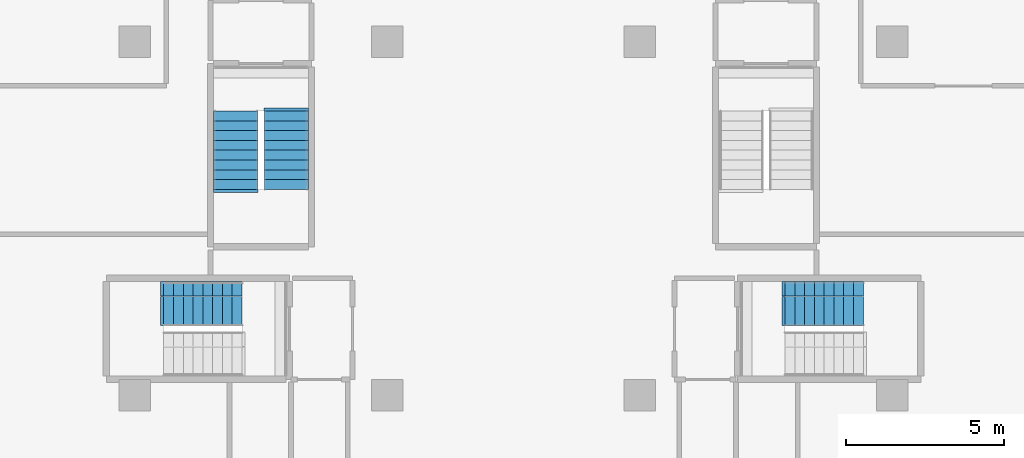
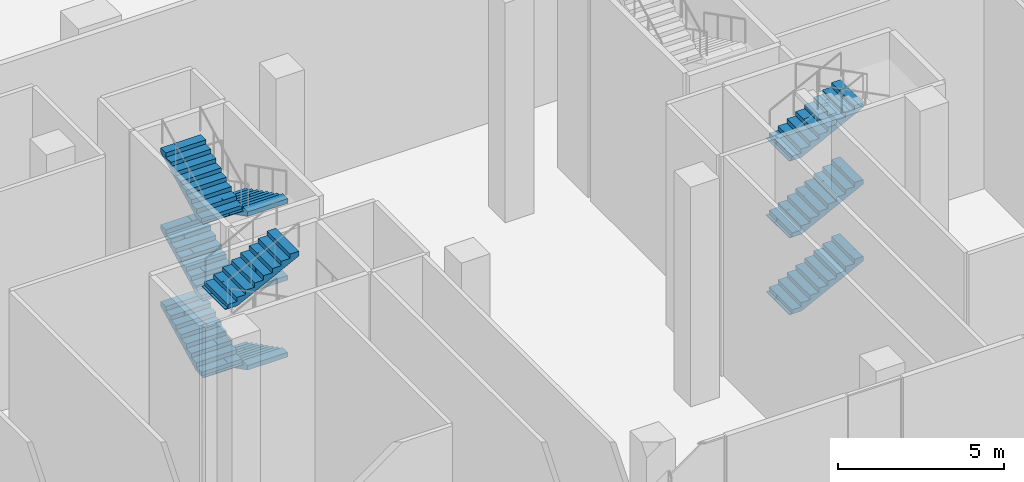
# One storey, part 30 of 41: 10 stair flights, 3 elements without a shape of their own.
"""IFC4 building model written with IfcOpenShell, lengths in metres."""

from ifc_helpers import new_model, si_unit, direction, frame, origin, place, context, subcontext, project, spatial, polyline, outline, extrude, material, type_object, element, aggregate, save


model = new_model("IFC4")

# Units and contexts
model_context = context("Model", 3, precision=1e-05, world=origin(), true_north=direction((0.0, 1.0)))
body_context = subcontext(model_context, "Body", "Model", "MODEL_VIEW")
ifc_project = project(units=[si_unit("LENGTHUNIT", "METRE"), si_unit("AREAUNIT", "SQUARE_METRE"), si_unit("VOLUMEUNIT", "CUBIC_METRE"), si_unit("PLANEANGLEUNIT", "RADIAN"), si_unit("MASSUNIT", "GRAM", prefix="KILO")], contexts=[model_context])

# Site, building, storey
site_placement = place(None, origin())
site = spatial("IfcSite", under=ifc_project, at=site_placement, CompositionType="ELEMENT")
building_placement = place(site_placement, origin())
building = spatial("IfcBuilding", under=site, at=building_placement, Name="Triada Interchange Tower", CompositionType="ELEMENT")
storey_placement = place(building_placement, origin())
storey = spatial("IfcBuildingStorey", under=building, at=storey_placement, Name="L00", CompositionType="ELEMENT", Elevation=0.0)

# Stair, stair flight
ifc_material = material(Name="Concrete C35/45", Category="concrete")
stair_type = type_object("IfcStairType", Name="HALF TURN STAIR 1400", PredefinedType="HALF_TURN_STAIR", material=ifc_material)
stair_1_placement = place(storey_placement, origin())
stair_1 = element("IfcStair", 1, at=stair_1_placement, inside=storey, type_object=stair_type, Name="Exit stair S00-4", PredefinedType="HALF_TURN_STAIR")
stair_flight_type = type_object("IfcStairFlightType", Name="STRAIGHT STAIR FLIGHT 1400", PredefinedType="STRAIGHT", material=ifc_material)
stair_flight_1_placement = place(storey_placement, frame((-11.080078125, -35.199951171875, 7.08349609375), z_axis=(0.0, 0.0, 1.0), x_axis=(1.0, 0.0, 0.0)))
stair_flight_1 = element("IfcStairFlight", 2, at=stair_flight_1_placement, type_object=stair_flight_type, Name="S00-4 flight 6", NumberOfRisers=9, NumberOfTreads=8, PredefinedType="STRAIGHT", RiserHeight=0.15741, TreadLength=0.31, context=body_context, shape_type="SweptSolid", body=[
    extrude(outline(polyline([(-0.10009765625, 0.0), (-0.10009765625, 0.02001953125), (0.0, 0.02001953125), (0.0, 0.157470703125), (0.31005859375, 0.157470703125), (0.31005859375, 0.31494140625), (0.6201171875, 0.31494140625), (0.6201171875, 0.47216796875), (0.929931640625, 0.47216796875), (0.929931640625, 0.629638671875), (1.239990234375, 0.629638671875), (1.239990234375, 0.787109375), (1.550048828125, 0.787109375), (1.550048828125, 0.944580078125), (1.860107421875, 0.944580078125), (1.860107421875, 1.101806640625), (2.169921875, 1.101806640625), (2.169921875, 1.25927734375), (2.47998046875, 1.25927734375), (2.48388671875, 1.25927734375), (2.48388671875, 1.416748046875), (2.48388671875, 1.091064453125), (0.3310546875, 0.0), (-0.10009765625, 0.0)])), frame((0.0, 0.699951171875, 0.0), z_axis=(0.0, -1.0, 0.0), x_axis=(1.0, 0.0, 0.0)), (0.0, 0.0, 1.0), 0.46533203125),
    extrude(outline(polyline([(-0.10009765625, 0.0), (-0.10009765625, 0.02001953125), (0.0, 0.02001953125), (0.0, 0.157470703125), (0.31005859375, 0.157470703125), (0.31005859375, 0.31494140625), (0.6201171875, 0.31494140625), (0.6201171875, 0.47216796875), (0.929931640625, 0.47216796875), (0.929931640625, 0.629638671875), (1.239990234375, 0.629638671875), (1.239990234375, 0.787109375), (1.550048828125, 0.787109375), (1.550048828125, 0.944580078125), (1.860107421875, 0.944580078125), (1.860107421875, 1.101806640625), (2.169921875, 1.101806640625), (2.169921875, 1.25927734375), (2.47998046875, 1.25927734375), (2.48388671875, 1.25927734375), (2.48388671875, 1.416748046875), (2.48388671875, 1.091064453125), (0.3310546875, 0.0), (-0.10009765625, 0.0)])), frame((0.0, 0.232666015625, 0.0), z_axis=(0.0, -1.0, 0.0), x_axis=(1.0, 0.0, 0.0)), (0.0, 0.0, 1.0), 0.46533203125),
    extrude(outline(polyline([(-0.10009765625, 0.0), (-0.10009765625, 0.02001953125), (0.0, 0.02001953125), (0.0, 0.157470703125), (0.31005859375, 0.157470703125), (0.31005859375, 0.31494140625), (0.6201171875, 0.31494140625), (0.6201171875, 0.47216796875), (0.929931640625, 0.47216796875), (0.929931640625, 0.629638671875), (1.239990234375, 0.629638671875), (1.239990234375, 0.787109375), (1.550048828125, 0.787109375), (1.550048828125, 0.944580078125), (1.860107421875, 0.944580078125), (1.860107421875, 1.101806640625), (2.169921875, 1.101806640625), (2.169921875, 1.25927734375), (2.47998046875, 1.25927734375), (2.48388671875, 1.25927734375), (2.48388671875, 1.416748046875), (2.48388671875, 1.091064453125), (0.3310546875, 0.0), (-0.10009765625, 0.0)])), frame((0.0, -0.234619140625, 0.0), z_axis=(0.0, -1.0, 0.0), x_axis=(1.0, 0.0, 0.0)), (0.0, 0.0, 1.0), 0.46533203125),
])
aggregate(stair_1, [stair_flight_1])

# Stair, stair flights
stair_2_placement = place(storey_placement, origin())
stair_2 = element("IfcStair", 3, at=stair_2_placement, inside=storey, type_object=stair_type, Name="Exit stair S00-5", PredefinedType="HALF_TURN_STAIR")
stair_flight_2_placement = place(storey_placement, frame((8.60009765625, -35.199951171875, 0.0), z_axis=(0.0, 0.0, 1.0), x_axis=(1.0, 0.0, 0.0)))
stair_flight_2 = element("IfcStairFlight", 4, at=stair_flight_2_placement, type_object=stair_flight_type, Name="S00-5 flight 1", NumberOfRisers=9, NumberOfTreads=8, PredefinedType="STRAIGHT", RiserHeight=0.15741, TreadLength=0.31, context=body_context, shape_type="SweptSolid", body=[
    extrude(outline(polyline([(-0.10009765625, 0.0), (-0.10009765625, 0.02001953125), (0.0, 0.02001953125), (0.0, 0.157470703125), (0.31005859375, 0.157470703125), (0.31005859375, 0.31494140625), (0.6201171875, 0.31494140625), (0.6201171875, 0.47216796875), (0.929931640625, 0.47216796875), (0.929931640625, 0.629638671875), (1.239990234375, 0.629638671875), (1.239990234375, 0.787109375), (1.550048828125, 0.787109375), (1.550048828125, 0.944580078125), (1.860107421875, 0.944580078125), (1.860107421875, 1.101806640625), (2.169921875, 1.101806640625), (2.169921875, 1.25927734375), (2.47998046875, 1.25927734375), (2.48388671875, 1.25927734375), (2.48388671875, 1.416748046875), (2.48388671875, 1.091064453125), (0.3310546875, 0.0), (-0.10009765625, 0.0)])), frame((0.0, 0.699951171875, 0.0), z_axis=(0.0, -1.0, 0.0), x_axis=(1.0, 0.0, 0.0)), (0.0, 0.0, 1.0), 0.46533203125),
    extrude(outline(polyline([(-0.10009765625, 0.0), (-0.10009765625, 0.02001953125), (0.0, 0.02001953125), (0.0, 0.157470703125), (0.31005859375, 0.157470703125), (0.31005859375, 0.31494140625), (0.6201171875, 0.31494140625), (0.6201171875, 0.47216796875), (0.929931640625, 0.47216796875), (0.929931640625, 0.629638671875), (1.239990234375, 0.629638671875), (1.239990234375, 0.787109375), (1.550048828125, 0.787109375), (1.550048828125, 0.944580078125), (1.860107421875, 0.944580078125), (1.860107421875, 1.101806640625), (2.169921875, 1.101806640625), (2.169921875, 1.25927734375), (2.47998046875, 1.25927734375), (2.48388671875, 1.25927734375), (2.48388671875, 1.416748046875), (2.48388671875, 1.091064453125), (0.3310546875, 0.0), (-0.10009765625, 0.0)])), frame((0.0, 0.232666015625, 0.0), z_axis=(0.0, -1.0, 0.0), x_axis=(1.0, 0.0, 0.0)), (0.0, 0.0, 1.0), 0.46533203125),
    extrude(outline(polyline([(-0.10009765625, 0.0), (-0.10009765625, 0.02001953125), (0.0, 0.02001953125), (0.0, 0.157470703125), (0.31005859375, 0.157470703125), (0.31005859375, 0.31494140625), (0.6201171875, 0.31494140625), (0.6201171875, 0.47216796875), (0.929931640625, 0.47216796875), (0.929931640625, 0.629638671875), (1.239990234375, 0.629638671875), (1.239990234375, 0.787109375), (1.550048828125, 0.787109375), (1.550048828125, 0.944580078125), (1.860107421875, 0.944580078125), (1.860107421875, 1.101806640625), (2.169921875, 1.101806640625), (2.169921875, 1.25927734375), (2.47998046875, 1.25927734375), (2.48388671875, 1.25927734375), (2.48388671875, 1.416748046875), (2.48388671875, 1.091064453125), (0.3310546875, 0.0), (-0.10009765625, 0.0)])), frame((0.0, -0.234619140625, 0.0), z_axis=(0.0, -1.0, 0.0), x_axis=(1.0, 0.0, 0.0)), (0.0, 0.0, 1.0), 0.46533203125),
])
stair_flight_3_placement = place(storey_placement, frame((8.60009765625, -35.199951171875, 2.83349609375), z_axis=(0.0, 0.0, 1.0), x_axis=(1.0, 0.0, 0.0)))
stair_flight_3 = element("IfcStairFlight", 5, at=stair_flight_3_placement, type_object=stair_flight_type, Name="S00-5 flight 3", NumberOfRisers=9, NumberOfTreads=8, PredefinedType="STRAIGHT", RiserHeight=0.15741, TreadLength=0.31, context=body_context, shape_type="SweptSolid", body=[
    extrude(outline(polyline([(-0.10009765625, 0.0), (-0.10009765625, 0.02001953125), (0.0, 0.02001953125), (0.0, 0.157470703125), (0.31005859375, 0.157470703125), (0.31005859375, 0.31494140625), (0.6201171875, 0.31494140625), (0.6201171875, 0.47216796875), (0.929931640625, 0.47216796875), (0.929931640625, 0.629638671875), (1.239990234375, 0.629638671875), (1.239990234375, 0.787109375), (1.550048828125, 0.787109375), (1.550048828125, 0.944580078125), (1.860107421875, 0.944580078125), (1.860107421875, 1.101806640625), (2.169921875, 1.101806640625), (2.169921875, 1.25927734375), (2.47998046875, 1.25927734375), (2.48388671875, 1.25927734375), (2.48388671875, 1.416748046875), (2.48388671875, 1.091064453125), (0.3310546875, 0.0), (-0.10009765625, 0.0)])), frame((0.0, 0.699951171875, 0.0), z_axis=(0.0, -1.0, 0.0), x_axis=(1.0, 0.0, 0.0)), (0.0, 0.0, 1.0), 0.46533203125),
    extrude(outline(polyline([(-0.10009765625, 0.0), (-0.10009765625, 0.02001953125), (0.0, 0.02001953125), (0.0, 0.157470703125), (0.31005859375, 0.157470703125), (0.31005859375, 0.31494140625), (0.6201171875, 0.31494140625), (0.6201171875, 0.47216796875), (0.929931640625, 0.47216796875), (0.929931640625, 0.629638671875), (1.239990234375, 0.629638671875), (1.239990234375, 0.787109375), (1.550048828125, 0.787109375), (1.550048828125, 0.944580078125), (1.860107421875, 0.944580078125), (1.860107421875, 1.101806640625), (2.169921875, 1.101806640625), (2.169921875, 1.25927734375), (2.47998046875, 1.25927734375), (2.48388671875, 1.25927734375), (2.48388671875, 1.416748046875), (2.48388671875, 1.091064453125), (0.3310546875, 0.0), (-0.10009765625, 0.0)])), frame((0.0, 0.232666015625, 0.0), z_axis=(0.0, -1.0, 0.0), x_axis=(1.0, 0.0, 0.0)), (0.0, 0.0, 1.0), 0.46533203125),
    extrude(outline(polyline([(-0.10009765625, 0.0), (-0.10009765625, 0.02001953125), (0.0, 0.02001953125), (0.0, 0.157470703125), (0.31005859375, 0.157470703125), (0.31005859375, 0.31494140625), (0.6201171875, 0.31494140625), (0.6201171875, 0.47216796875), (0.929931640625, 0.47216796875), (0.929931640625, 0.629638671875), (1.239990234375, 0.629638671875), (1.239990234375, 0.787109375), (1.550048828125, 0.787109375), (1.550048828125, 0.944580078125), (1.860107421875, 0.944580078125), (1.860107421875, 1.101806640625), (2.169921875, 1.101806640625), (2.169921875, 1.25927734375), (2.47998046875, 1.25927734375), (2.48388671875, 1.25927734375), (2.48388671875, 1.416748046875), (2.48388671875, 1.091064453125), (0.3310546875, 0.0), (-0.10009765625, 0.0)])), frame((0.0, -0.234619140625, 0.0), z_axis=(0.0, -1.0, 0.0), x_axis=(1.0, 0.0, 0.0)), (0.0, 0.0, 1.0), 0.46533203125),
])
stair_flight_4_placement = place(storey_placement, frame((8.60009765625, -35.199951171875, 5.666748046875), z_axis=(0.0, 0.0, 1.0), x_axis=(1.0, 0.0, 0.0)))
stair_flight_4 = element("IfcStairFlight", 6, at=stair_flight_4_placement, type_object=stair_flight_type, Name="S00-5 flight 5", NumberOfRisers=9, NumberOfTreads=8, PredefinedType="STRAIGHT", RiserHeight=0.15741, TreadLength=0.31, context=body_context, shape_type="SweptSolid", body=[
    extrude(outline(polyline([(-0.10009765625, 0.0), (-0.10009765625, 0.02001953125), (0.0, 0.02001953125), (0.0, 0.157470703125), (0.31005859375, 0.157470703125), (0.31005859375, 0.31494140625), (0.6201171875, 0.31494140625), (0.6201171875, 0.47216796875), (0.929931640625, 0.47216796875), (0.929931640625, 0.629638671875), (1.239990234375, 0.629638671875), (1.239990234375, 0.787109375), (1.550048828125, 0.787109375), (1.550048828125, 0.944580078125), (1.860107421875, 0.944580078125), (1.860107421875, 1.101806640625), (2.169921875, 1.101806640625), (2.169921875, 1.25927734375), (2.47998046875, 1.25927734375), (2.48388671875, 1.25927734375), (2.48388671875, 1.416748046875), (2.48388671875, 1.091064453125), (0.3310546875, 0.0), (-0.10009765625, 0.0)])), frame((0.0, 0.699951171875, 0.0), z_axis=(0.0, -1.0, 0.0), x_axis=(1.0, 0.0, 0.0)), (0.0, 0.0, 1.0), 0.46533203125),
    extrude(outline(polyline([(-0.10009765625, 0.0), (-0.10009765625, 0.02001953125), (0.0, 0.02001953125), (0.0, 0.157470703125), (0.31005859375, 0.157470703125), (0.31005859375, 0.31494140625), (0.6201171875, 0.31494140625), (0.6201171875, 0.47216796875), (0.929931640625, 0.47216796875), (0.929931640625, 0.629638671875), (1.239990234375, 0.629638671875), (1.239990234375, 0.787109375), (1.550048828125, 0.787109375), (1.550048828125, 0.944580078125), (1.860107421875, 0.944580078125), (1.860107421875, 1.101806640625), (2.169921875, 1.101806640625), (2.169921875, 1.25927734375), (2.47998046875, 1.25927734375), (2.48388671875, 1.25927734375), (2.48388671875, 1.416748046875), (2.48388671875, 1.091064453125), (0.3310546875, 0.0), (-0.10009765625, 0.0)])), frame((0.0, 0.232666015625, 0.0), z_axis=(0.0, -1.0, 0.0), x_axis=(1.0, 0.0, 0.0)), (0.0, 0.0, 1.0), 0.46533203125),
    extrude(outline(polyline([(-0.10009765625, 0.0), (-0.10009765625, 0.02001953125), (0.0, 0.02001953125), (0.0, 0.157470703125), (0.31005859375, 0.157470703125), (0.31005859375, 0.31494140625), (0.6201171875, 0.31494140625), (0.6201171875, 0.47216796875), (0.929931640625, 0.47216796875), (0.929931640625, 0.629638671875), (1.239990234375, 0.629638671875), (1.239990234375, 0.787109375), (1.550048828125, 0.787109375), (1.550048828125, 0.944580078125), (1.860107421875, 0.944580078125), (1.860107421875, 1.101806640625), (2.169921875, 1.101806640625), (2.169921875, 1.25927734375), (2.47998046875, 1.25927734375), (2.48388671875, 1.25927734375), (2.48388671875, 1.416748046875), (2.48388671875, 1.091064453125), (0.3310546875, 0.0), (-0.10009765625, 0.0)])), frame((0.0, -0.234619140625, 0.0), z_axis=(0.0, -1.0, 0.0), x_axis=(1.0, 0.0, 0.0)), (0.0, 0.0, 1.0), 0.46533203125),
])
aggregate(stair_2, [stair_flight_2, stair_flight_3, stair_flight_4])

stair_3_placement = place(storey_placement, origin())
stair_3 = element("IfcStair", 7, at=stair_3_placement, inside=storey, type_object=stair_type, Name="Exit stair S00-11", PredefinedType="HALF_TURN_STAIR")
stair_flight_5_placement = place(storey_placement, frame((-7.199951171875, -29.10009765625, 0.0), z_axis=(0.0, 0.0, 1.0), x_axis=(0.0, -1.0, 0.0)))
stair_flight_5 = element("IfcStairFlight", 8, at=stair_flight_5_placement, type_object=stair_flight_type, Name="S00-11 flight 1", NumberOfRisers=9, NumberOfTreads=8, PredefinedType="STRAIGHT", RiserHeight=0.15741, TreadLength=0.31, context=body_context, shape_type="SweptSolid", body=[
    extrude(outline(polyline([(-0.10009765625, 0.0), (-0.10009765625, 0.02001953125), (0.0, 0.02001953125), (0.0, 0.157470703125), (0.31005859375, 0.157470703125), (0.31005859375, 0.31494140625), (0.6201171875, 0.31494140625), (0.6201171875, 0.47216796875), (0.929931640625, 0.47216796875), (0.929931640625, 0.629638671875), (1.239990234375, 0.629638671875), (1.239990234375, 0.787109375), (1.550048828125, 0.787109375), (1.550048828125, 0.944580078125), (1.860107421875, 0.944580078125), (1.860107421875, 1.101806640625), (2.169921875, 1.101806640625), (2.169921875, 1.25927734375), (2.47998046875, 1.25927734375), (2.48388671875, 1.25927734375), (2.48388671875, 1.416748046875), (2.48388671875, 1.091064453125), (0.3310546875, 0.0), (-0.10009765625, 0.0)])), frame((0.0, 0.699951171875, 0.0), z_axis=(0.0, -1.0, 0.0), x_axis=(1.0, 0.0, 0.0)), (0.0, 0.0, 1.0), 0.46533203125),
    extrude(outline(polyline([(-0.10009765625, 0.0), (-0.10009765625, 0.02001953125), (0.0, 0.02001953125), (0.0, 0.157470703125), (0.31005859375, 0.157470703125), (0.31005859375, 0.31494140625), (0.6201171875, 0.31494140625), (0.6201171875, 0.47216796875), (0.929931640625, 0.47216796875), (0.929931640625, 0.629638671875), (1.239990234375, 0.629638671875), (1.239990234375, 0.787109375), (1.550048828125, 0.787109375), (1.550048828125, 0.944580078125), (1.860107421875, 0.944580078125), (1.860107421875, 1.101806640625), (2.169921875, 1.101806640625), (2.169921875, 1.25927734375), (2.47998046875, 1.25927734375), (2.48388671875, 1.25927734375), (2.48388671875, 1.416748046875), (2.48388671875, 1.091064453125), (0.3310546875, 0.0), (-0.10009765625, 0.0)])), frame((0.0, 0.232666015625, 0.0), z_axis=(0.0, -1.0, 0.0), x_axis=(1.0, 0.0, 0.0)), (0.0, 0.0, 1.0), 0.46533203125),
    extrude(outline(polyline([(-0.10009765625, 0.0), (-0.10009765625, 0.02001953125), (0.0, 0.02001953125), (0.0, 0.157470703125), (0.31005859375, 0.157470703125), (0.31005859375, 0.31494140625), (0.6201171875, 0.31494140625), (0.6201171875, 0.47216796875), (0.929931640625, 0.47216796875), (0.929931640625, 0.629638671875), (1.239990234375, 0.629638671875), (1.239990234375, 0.787109375), (1.550048828125, 0.787109375), (1.550048828125, 0.944580078125), (1.860107421875, 0.944580078125), (1.860107421875, 1.101806640625), (2.169921875, 1.101806640625), (2.169921875, 1.25927734375), (2.47998046875, 1.25927734375), (2.48388671875, 1.25927734375), (2.48388671875, 1.416748046875), (2.48388671875, 1.091064453125), (0.3310546875, 0.0), (-0.10009765625, 0.0)])), frame((0.0, -0.234619140625, 0.0), z_axis=(0.0, -1.0, 0.0), x_axis=(1.0, 0.0, 0.0)), (0.0, 0.0, 1.0), 0.46533203125),
])
stair_flight_6_placement = place(storey_placement, frame((-8.800048828125, -31.580078125, 1.416748046875), z_axis=(0.0, 0.0, 1.0), x_axis=(0.0, 1.0, 0.0)))
stair_flight_6 = element("IfcStairFlight", 9, at=stair_flight_6_placement, type_object=stair_flight_type, Name="S00-11 flight 2", NumberOfRisers=9, NumberOfTreads=8, PredefinedType="STRAIGHT", RiserHeight=0.15741, TreadLength=0.31, context=body_context, shape_type="SweptSolid", body=[
    extrude(outline(polyline([(-0.10009765625, 0.0), (-0.10009765625, 0.02001953125), (0.0, 0.02001953125), (0.0, 0.157470703125), (0.31005859375, 0.157470703125), (0.31005859375, 0.31494140625), (0.6201171875, 0.31494140625), (0.6201171875, 0.47216796875), (0.929931640625, 0.47216796875), (0.929931640625, 0.629638671875), (1.239990234375, 0.629638671875), (1.239990234375, 0.787109375), (1.550048828125, 0.787109375), (1.550048828125, 0.944580078125), (1.860107421875, 0.944580078125), (1.860107421875, 1.101806640625), (2.169921875, 1.101806640625), (2.169921875, 1.25927734375), (2.47998046875, 1.25927734375), (2.48388671875, 1.25927734375), (2.48388671875, 1.416748046875), (2.48388671875, 1.091064453125), (0.3310546875, 0.0), (-0.10009765625, 0.0)])), frame((0.0, 0.699951171875, 0.0), z_axis=(0.0, -1.0, 0.0), x_axis=(1.0, 0.0, 0.0)), (0.0, 0.0, 1.0), 0.46533203125),
    extrude(outline(polyline([(-0.10009765625, 0.0), (-0.10009765625, 0.02001953125), (0.0, 0.02001953125), (0.0, 0.157470703125), (0.31005859375, 0.157470703125), (0.31005859375, 0.31494140625), (0.6201171875, 0.31494140625), (0.6201171875, 0.47216796875), (0.929931640625, 0.47216796875), (0.929931640625, 0.629638671875), (1.239990234375, 0.629638671875), (1.239990234375, 0.787109375), (1.550048828125, 0.787109375), (1.550048828125, 0.944580078125), (1.860107421875, 0.944580078125), (1.860107421875, 1.101806640625), (2.169921875, 1.101806640625), (2.169921875, 1.25927734375), (2.47998046875, 1.25927734375), (2.48388671875, 1.25927734375), (2.48388671875, 1.416748046875), (2.48388671875, 1.091064453125), (0.3310546875, 0.0), (-0.10009765625, 0.0)])), frame((0.0, 0.232666015625, 0.0), z_axis=(0.0, -1.0, 0.0), x_axis=(1.0, 0.0, 0.0)), (0.0, 0.0, 1.0), 0.46533203125),
    extrude(outline(polyline([(-0.10009765625, 0.0), (-0.10009765625, 0.02001953125), (0.0, 0.02001953125), (0.0, 0.157470703125), (0.31005859375, 0.157470703125), (0.31005859375, 0.31494140625), (0.6201171875, 0.31494140625), (0.6201171875, 0.47216796875), (0.929931640625, 0.47216796875), (0.929931640625, 0.629638671875), (1.239990234375, 0.629638671875), (1.239990234375, 0.787109375), (1.550048828125, 0.787109375), (1.550048828125, 0.944580078125), (1.860107421875, 0.944580078125), (1.860107421875, 1.101806640625), (2.169921875, 1.101806640625), (2.169921875, 1.25927734375), (2.47998046875, 1.25927734375), (2.48388671875, 1.25927734375), (2.48388671875, 1.416748046875), (2.48388671875, 1.091064453125), (0.3310546875, 0.0), (-0.10009765625, 0.0)])), frame((0.0, -0.234619140625, 0.0), z_axis=(0.0, -1.0, 0.0), x_axis=(1.0, 0.0, 0.0)), (0.0, 0.0, 1.0), 0.46533203125),
])
stair_flight_7_placement = place(storey_placement, frame((-7.199951171875, -29.10009765625, 2.83349609375), z_axis=(0.0, 0.0, 1.0), x_axis=(0.0, -1.0, 0.0)))
stair_flight_7 = element("IfcStairFlight", 10, at=stair_flight_7_placement, type_object=stair_flight_type, Name="S00-11 flight 3", NumberOfRisers=9, NumberOfTreads=8, PredefinedType="STRAIGHT", RiserHeight=0.15741, TreadLength=0.31, context=body_context, shape_type="SweptSolid", body=[
    extrude(outline(polyline([(-0.10009765625, 0.0), (-0.10009765625, 0.02001953125), (0.0, 0.02001953125), (0.0, 0.157470703125), (0.31005859375, 0.157470703125), (0.31005859375, 0.31494140625), (0.6201171875, 0.31494140625), (0.6201171875, 0.47216796875), (0.929931640625, 0.47216796875), (0.929931640625, 0.629638671875), (1.239990234375, 0.629638671875), (1.239990234375, 0.787109375), (1.550048828125, 0.787109375), (1.550048828125, 0.944580078125), (1.860107421875, 0.944580078125), (1.860107421875, 1.101806640625), (2.169921875, 1.101806640625), (2.169921875, 1.25927734375), (2.47998046875, 1.25927734375), (2.48388671875, 1.25927734375), (2.48388671875, 1.416748046875), (2.48388671875, 1.091064453125), (0.3310546875, 0.0), (-0.10009765625, 0.0)])), frame((0.0, 0.699951171875, 0.0), z_axis=(0.0, -1.0, 0.0), x_axis=(1.0, 0.0, 0.0)), (0.0, 0.0, 1.0), 0.46533203125),
    extrude(outline(polyline([(-0.10009765625, 0.0), (-0.10009765625, 0.02001953125), (0.0, 0.02001953125), (0.0, 0.157470703125), (0.31005859375, 0.157470703125), (0.31005859375, 0.31494140625), (0.6201171875, 0.31494140625), (0.6201171875, 0.47216796875), (0.929931640625, 0.47216796875), (0.929931640625, 0.629638671875), (1.239990234375, 0.629638671875), (1.239990234375, 0.787109375), (1.550048828125, 0.787109375), (1.550048828125, 0.944580078125), (1.860107421875, 0.944580078125), (1.860107421875, 1.101806640625), (2.169921875, 1.101806640625), (2.169921875, 1.25927734375), (2.47998046875, 1.25927734375), (2.48388671875, 1.25927734375), (2.48388671875, 1.416748046875), (2.48388671875, 1.091064453125), (0.3310546875, 0.0), (-0.10009765625, 0.0)])), frame((0.0, 0.232666015625, 0.0), z_axis=(0.0, -1.0, 0.0), x_axis=(1.0, 0.0, 0.0)), (0.0, 0.0, 1.0), 0.46533203125),
    extrude(outline(polyline([(-0.10009765625, 0.0), (-0.10009765625, 0.02001953125), (0.0, 0.02001953125), (0.0, 0.157470703125), (0.31005859375, 0.157470703125), (0.31005859375, 0.31494140625), (0.6201171875, 0.31494140625), (0.6201171875, 0.47216796875), (0.929931640625, 0.47216796875), (0.929931640625, 0.629638671875), (1.239990234375, 0.629638671875), (1.239990234375, 0.787109375), (1.550048828125, 0.787109375), (1.550048828125, 0.944580078125), (1.860107421875, 0.944580078125), (1.860107421875, 1.101806640625), (2.169921875, 1.101806640625), (2.169921875, 1.25927734375), (2.47998046875, 1.25927734375), (2.48388671875, 1.25927734375), (2.48388671875, 1.416748046875), (2.48388671875, 1.091064453125), (0.3310546875, 0.0), (-0.10009765625, 0.0)])), frame((0.0, -0.234619140625, 0.0), z_axis=(0.0, -1.0, 0.0), x_axis=(1.0, 0.0, 0.0)), (0.0, 0.0, 1.0), 0.46533203125),
])
stair_flight_8_placement = place(storey_placement, frame((-8.800048828125, -31.580078125, 4.25), z_axis=(0.0, 0.0, 1.0), x_axis=(0.0, 1.0, 0.0)))
stair_flight_8 = element("IfcStairFlight", 11, at=stair_flight_8_placement, type_object=stair_flight_type, Name="S00-11 flight 4", NumberOfRisers=9, NumberOfTreads=8, PredefinedType="STRAIGHT", RiserHeight=0.15741, TreadLength=0.31, context=body_context, shape_type="SweptSolid", body=[
    extrude(outline(polyline([(-0.10009765625, 0.0), (-0.10009765625, 0.02001953125), (0.0, 0.02001953125), (0.0, 0.157470703125), (0.31005859375, 0.157470703125), (0.31005859375, 0.31494140625), (0.6201171875, 0.31494140625), (0.6201171875, 0.47216796875), (0.929931640625, 0.47216796875), (0.929931640625, 0.629638671875), (1.239990234375, 0.629638671875), (1.239990234375, 0.787109375), (1.550048828125, 0.787109375), (1.550048828125, 0.944580078125), (1.860107421875, 0.944580078125), (1.860107421875, 1.101806640625), (2.169921875, 1.101806640625), (2.169921875, 1.25927734375), (2.47998046875, 1.25927734375), (2.48388671875, 1.25927734375), (2.48388671875, 1.416748046875), (2.48388671875, 1.091064453125), (0.3310546875, 0.0), (-0.10009765625, 0.0)])), frame((0.0, 0.699951171875, 0.0), z_axis=(0.0, -1.0, 0.0), x_axis=(1.0, 0.0, 0.0)), (0.0, 0.0, 1.0), 0.46533203125),
    extrude(outline(polyline([(-0.10009765625, 0.0), (-0.10009765625, 0.02001953125), (0.0, 0.02001953125), (0.0, 0.157470703125), (0.31005859375, 0.157470703125), (0.31005859375, 0.31494140625), (0.6201171875, 0.31494140625), (0.6201171875, 0.47216796875), (0.929931640625, 0.47216796875), (0.929931640625, 0.629638671875), (1.239990234375, 0.629638671875), (1.239990234375, 0.787109375), (1.550048828125, 0.787109375), (1.550048828125, 0.944580078125), (1.860107421875, 0.944580078125), (1.860107421875, 1.101806640625), (2.169921875, 1.101806640625), (2.169921875, 1.25927734375), (2.47998046875, 1.25927734375), (2.48388671875, 1.25927734375), (2.48388671875, 1.416748046875), (2.48388671875, 1.091064453125), (0.3310546875, 0.0), (-0.10009765625, 0.0)])), frame((0.0, 0.232666015625, 0.0), z_axis=(0.0, -1.0, 0.0), x_axis=(1.0, 0.0, 0.0)), (0.0, 0.0, 1.0), 0.46533203125),
    extrude(outline(polyline([(-0.10009765625, 0.0), (-0.10009765625, 0.02001953125), (0.0, 0.02001953125), (0.0, 0.157470703125), (0.31005859375, 0.157470703125), (0.31005859375, 0.31494140625), (0.6201171875, 0.31494140625), (0.6201171875, 0.47216796875), (0.929931640625, 0.47216796875), (0.929931640625, 0.629638671875), (1.239990234375, 0.629638671875), (1.239990234375, 0.787109375), (1.550048828125, 0.787109375), (1.550048828125, 0.944580078125), (1.860107421875, 0.944580078125), (1.860107421875, 1.101806640625), (2.169921875, 1.101806640625), (2.169921875, 1.25927734375), (2.47998046875, 1.25927734375), (2.48388671875, 1.25927734375), (2.48388671875, 1.416748046875), (2.48388671875, 1.091064453125), (0.3310546875, 0.0), (-0.10009765625, 0.0)])), frame((0.0, -0.234619140625, 0.0), z_axis=(0.0, -1.0, 0.0), x_axis=(1.0, 0.0, 0.0)), (0.0, 0.0, 1.0), 0.46533203125),
])
stair_flight_9_placement = place(storey_placement, frame((-7.199951171875, -29.10009765625, 5.666748046875), z_axis=(0.0, 0.0, 1.0), x_axis=(0.0, -1.0, 0.0)))
stair_flight_9 = element("IfcStairFlight", 12, at=stair_flight_9_placement, type_object=stair_flight_type, Name="S00-11 flight 5", NumberOfRisers=9, NumberOfTreads=8, PredefinedType="STRAIGHT", RiserHeight=0.15741, TreadLength=0.31, context=body_context, shape_type="SweptSolid", body=[
    extrude(outline(polyline([(-0.10009765625, 0.0), (-0.10009765625, 0.02001953125), (0.0, 0.02001953125), (0.0, 0.157470703125), (0.31005859375, 0.157470703125), (0.31005859375, 0.31494140625), (0.6201171875, 0.31494140625), (0.6201171875, 0.47216796875), (0.929931640625, 0.47216796875), (0.929931640625, 0.629638671875), (1.239990234375, 0.629638671875), (1.239990234375, 0.787109375), (1.550048828125, 0.787109375), (1.550048828125, 0.944580078125), (1.860107421875, 0.944580078125), (1.860107421875, 1.101806640625), (2.169921875, 1.101806640625), (2.169921875, 1.25927734375), (2.47998046875, 1.25927734375), (2.48388671875, 1.25927734375), (2.48388671875, 1.416748046875), (2.48388671875, 1.091064453125), (0.3310546875, 0.0), (-0.10009765625, 0.0)])), frame((0.0, 0.699951171875, 0.0), z_axis=(0.0, -1.0, 0.0), x_axis=(1.0, 0.0, 0.0)), (0.0, 0.0, 1.0), 0.46533203125),
    extrude(outline(polyline([(-0.10009765625, 0.0), (-0.10009765625, 0.02001953125), (0.0, 0.02001953125), (0.0, 0.157470703125), (0.31005859375, 0.157470703125), (0.31005859375, 0.31494140625), (0.6201171875, 0.31494140625), (0.6201171875, 0.47216796875), (0.929931640625, 0.47216796875), (0.929931640625, 0.629638671875), (1.239990234375, 0.629638671875), (1.239990234375, 0.787109375), (1.550048828125, 0.787109375), (1.550048828125, 0.944580078125), (1.860107421875, 0.944580078125), (1.860107421875, 1.101806640625), (2.169921875, 1.101806640625), (2.169921875, 1.25927734375), (2.47998046875, 1.25927734375), (2.48388671875, 1.25927734375), (2.48388671875, 1.416748046875), (2.48388671875, 1.091064453125), (0.3310546875, 0.0), (-0.10009765625, 0.0)])), frame((0.0, 0.232666015625, 0.0), z_axis=(0.0, -1.0, 0.0), x_axis=(1.0, 0.0, 0.0)), (0.0, 0.0, 1.0), 0.46533203125),
    extrude(outline(polyline([(-0.10009765625, 0.0), (-0.10009765625, 0.02001953125), (0.0, 0.02001953125), (0.0, 0.157470703125), (0.31005859375, 0.157470703125), (0.31005859375, 0.31494140625), (0.6201171875, 0.31494140625), (0.6201171875, 0.47216796875), (0.929931640625, 0.47216796875), (0.929931640625, 0.629638671875), (1.239990234375, 0.629638671875), (1.239990234375, 0.787109375), (1.550048828125, 0.787109375), (1.550048828125, 0.944580078125), (1.860107421875, 0.944580078125), (1.860107421875, 1.101806640625), (2.169921875, 1.101806640625), (2.169921875, 1.25927734375), (2.47998046875, 1.25927734375), (2.48388671875, 1.25927734375), (2.48388671875, 1.416748046875), (2.48388671875, 1.091064453125), (0.3310546875, 0.0), (-0.10009765625, 0.0)])), frame((0.0, -0.234619140625, 0.0), z_axis=(0.0, -1.0, 0.0), x_axis=(1.0, 0.0, 0.0)), (0.0, 0.0, 1.0), 0.46533203125),
])
stair_flight_10_placement = place(storey_placement, frame((-8.800048828125, -31.580078125, 7.08349609375), z_axis=(0.0, 0.0, 1.0), x_axis=(0.0, 1.0, 0.0)))
stair_flight_10 = element("IfcStairFlight", 13, at=stair_flight_10_placement, type_object=stair_flight_type, Name="S00-11 flight 6", NumberOfRisers=9, NumberOfTreads=8, PredefinedType="STRAIGHT", RiserHeight=0.15741, TreadLength=0.31, context=body_context, shape_type="SweptSolid", body=[
    extrude(outline(polyline([(-0.10009765625, 0.0), (-0.10009765625, 0.02001953125), (0.0, 0.02001953125), (0.0, 0.157470703125), (0.31005859375, 0.157470703125), (0.31005859375, 0.31494140625), (0.6201171875, 0.31494140625), (0.6201171875, 0.47216796875), (0.929931640625, 0.47216796875), (0.929931640625, 0.629638671875), (1.239990234375, 0.629638671875), (1.239990234375, 0.787109375), (1.550048828125, 0.787109375), (1.550048828125, 0.944580078125), (1.860107421875, 0.944580078125), (1.860107421875, 1.101806640625), (2.169921875, 1.101806640625), (2.169921875, 1.25927734375), (2.47998046875, 1.25927734375), (2.48388671875, 1.25927734375), (2.48388671875, 1.416748046875), (2.48388671875, 1.091064453125), (0.3310546875, 0.0), (-0.10009765625, 0.0)])), frame((0.0, 0.699951171875, 0.0), z_axis=(0.0, -1.0, 0.0), x_axis=(1.0, 0.0, 0.0)), (0.0, 0.0, 1.0), 0.46533203125),
    extrude(outline(polyline([(-0.10009765625, 0.0), (-0.10009765625, 0.02001953125), (0.0, 0.02001953125), (0.0, 0.157470703125), (0.31005859375, 0.157470703125), (0.31005859375, 0.31494140625), (0.6201171875, 0.31494140625), (0.6201171875, 0.47216796875), (0.929931640625, 0.47216796875), (0.929931640625, 0.629638671875), (1.239990234375, 0.629638671875), (1.239990234375, 0.787109375), (1.550048828125, 0.787109375), (1.550048828125, 0.944580078125), (1.860107421875, 0.944580078125), (1.860107421875, 1.101806640625), (2.169921875, 1.101806640625), (2.169921875, 1.25927734375), (2.47998046875, 1.25927734375), (2.48388671875, 1.25927734375), (2.48388671875, 1.416748046875), (2.48388671875, 1.091064453125), (0.3310546875, 0.0), (-0.10009765625, 0.0)])), frame((0.0, 0.232666015625, 0.0), z_axis=(0.0, -1.0, 0.0), x_axis=(1.0, 0.0, 0.0)), (0.0, 0.0, 1.0), 0.46533203125),
    extrude(outline(polyline([(-0.10009765625, 0.0), (-0.10009765625, 0.02001953125), (0.0, 0.02001953125), (0.0, 0.157470703125), (0.31005859375, 0.157470703125), (0.31005859375, 0.31494140625), (0.6201171875, 0.31494140625), (0.6201171875, 0.47216796875), (0.929931640625, 0.47216796875), (0.929931640625, 0.629638671875), (1.239990234375, 0.629638671875), (1.239990234375, 0.787109375), (1.550048828125, 0.787109375), (1.550048828125, 0.944580078125), (1.860107421875, 0.944580078125), (1.860107421875, 1.101806640625), (2.169921875, 1.101806640625), (2.169921875, 1.25927734375), (2.47998046875, 1.25927734375), (2.48388671875, 1.25927734375), (2.48388671875, 1.416748046875), (2.48388671875, 1.091064453125), (0.3310546875, 0.0), (-0.10009765625, 0.0)])), frame((0.0, -0.234619140625, 0.0), z_axis=(0.0, -1.0, 0.0), x_axis=(1.0, 0.0, 0.0)), (0.0, 0.0, 1.0), 0.46533203125),
])
aggregate(stair_3, [stair_flight_5, stair_flight_6, stair_flight_7, stair_flight_8, stair_flight_9, stair_flight_10])

save(model, "model.ifc")
